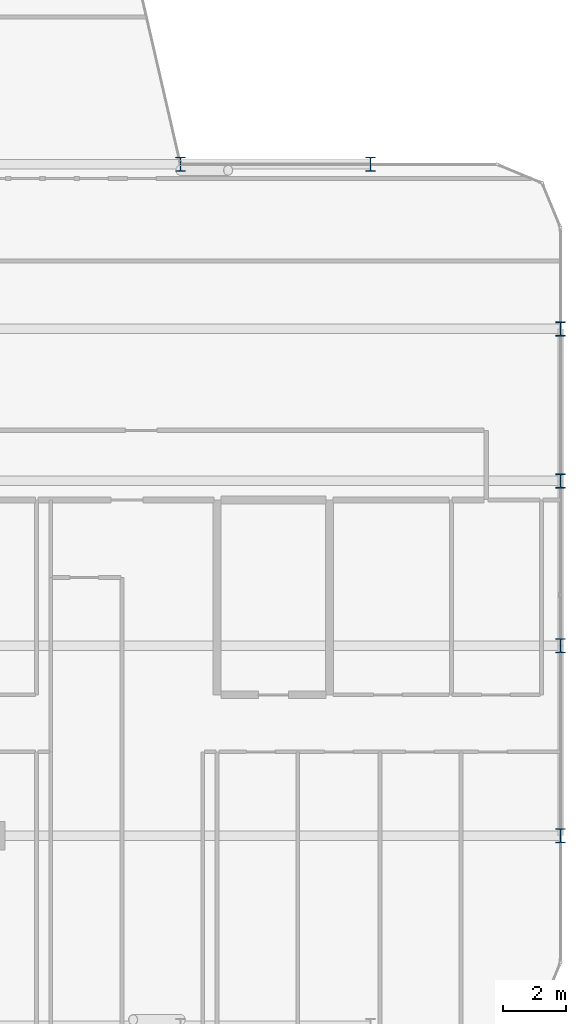
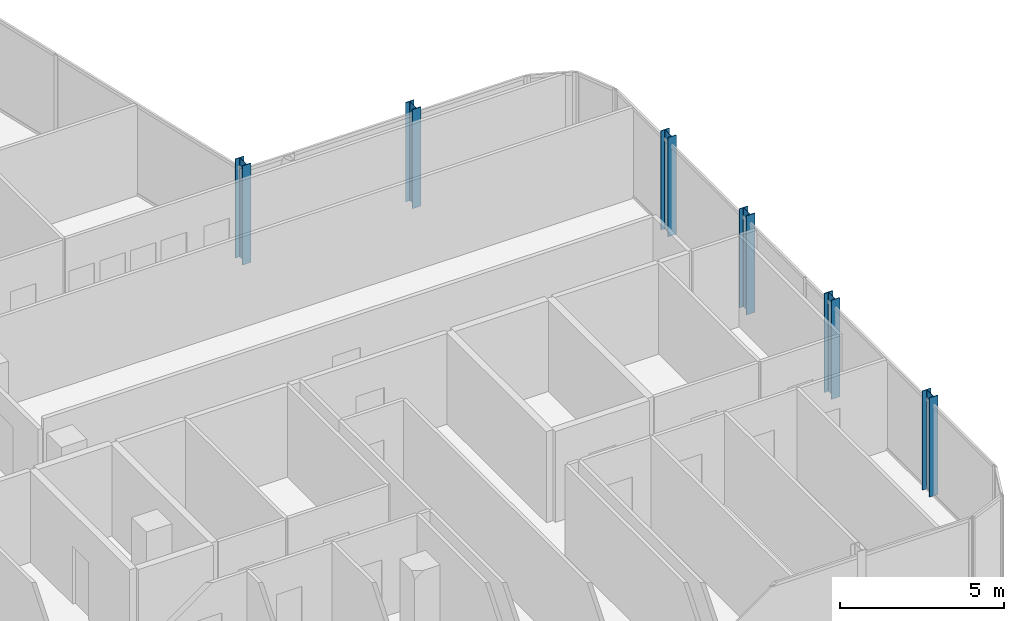
# One storey, part 2 of 29: 6 columns.
"""IFC4 building model written with IfcOpenShell, lengths in metres."""

import ifcopenshell
import ifcopenshell.guid

model = None  # the IFC model being written
_history = None  # IfcOwnerHistory: only IFC2X3 demands one
_inside = {}  # id of a spatial element -> (the spatial element, [elements in it])
_under = {}  # id of a project, library or spatial element -> (it, [spatial elements below it])
_declared = {}  # id of a project -> (the project, [libraries it declares])
_typed = {}  # id of a type object -> (the type object, [elements of that type])
_made_of = {}  # id of a material, layer set ... -> (it, [elements and type objects made of it])


def new_model(schema):
    """Start an empty IFC model of exactly this schema.

    Asked for "IFC4X3", IfcOpenShell would pick the latest addendum, in which some entities
    have other attributes; the version numbers below select the first issue.
    IFC2X3 requires an IfcOwnerHistory on every rooted entity: one is made here for all.
    """
    global model, _history
    if schema == "IFC4X3":
        model = ifcopenshell.file(schema_version=(4, 3, 0, 0))
    else:
        model = ifcopenshell.file(schema=schema)
    _inside.clear()
    _under.clear()
    _declared.clear()
    _typed.clear()
    _made_of.clear()
    _history = None
    if model.schema == "IFC2X3":
        org = make("IfcOrganization", Name="unknown")
        user = make(
            "IfcPersonAndOrganization",
            ThePerson=make("IfcPerson", FamilyName="unknown"),
            TheOrganization=org,
        )
        app = make(
            "IfcApplication",
            ApplicationDeveloper=org,
            Version="unknown",
            ApplicationFullName="unknown",
            ApplicationIdentifier="unknown",
        )
        _history = make(
            "IfcOwnerHistory",
            OwningUser=user,
            OwningApplication=app,
            ChangeAction="ADDED",
            CreationDate=0,
        )
    return model


def make(cls, **values):
    """One entity of the class cls with the attributes given. An attribute that is None is left unset."""
    return model.create_entity(
        cls, **{name: value for name, value in values.items() if value is not None}
    )


def rooted(cls, **values):
    """An entity with a GlobalId (a new one), such as an element, a storey or a relation."""
    return make(cls, GlobalId=ifcopenshell.guid.new(), OwnerHistory=_history, **values)


def si_unit(unit_type, name, prefix=None):
    """IfcSIUnit, for example si_unit("LENGTHUNIT", "METRE", prefix="MILLI")."""
    return make("IfcSIUnit", UnitType=unit_type, Prefix=prefix, Name=name)


def assignment(units):
    """IfcUnitAssignment: the units of a project."""
    return None if units is None else make("IfcUnitAssignment", Units=units)


def point(xyz):
    """IfcCartesianPoint."""
    return None if xyz is None else make("IfcCartesianPoint", Coordinates=xyz)


def direction(xyz):
    """IfcDirection."""
    return None if xyz is None else make("IfcDirection", DirectionRatios=xyz)


def frame(location, z_axis=None, x_axis=None):
    """IfcAxis2Placement3D, a coordinate frame: its origin and axes. An axis left out is left unset."""
    return make(
        "IfcAxis2Placement3D",
        Location=point(location),
        Axis=direction(z_axis),
        RefDirection=direction(x_axis),
    )


def frame_2d(location, x_axis=None):
    """IfcAxis2Placement2D, a coordinate frame in the plane: its origin and x axis."""
    return make(
        "IfcAxis2Placement2D", Location=point(location), RefDirection=direction(x_axis)
    )


def origin():
    """The frame at (0, 0, 0) with its axes left unset."""
    return frame((0.0, 0.0, 0.0))


def origin_2d():
    """The frame at (0, 0) in the plane with its x axis left unset."""
    return frame_2d((0.0, 0.0))


def place(relative_to, where):
    """IfcLocalPlacement: puts the frame where relative to a parent placement (None: the world)."""
    return make(
        "IfcLocalPlacement", PlacementRelTo=relative_to, RelativePlacement=where
    )


def context(
    kind, dimensions, precision=None, world=None, true_north=None, identifier=None
):
    """IfcGeometricRepresentationContext, for example the 3D "Model" context."""
    return make(
        "IfcGeometricRepresentationContext",
        ContextIdentifier=identifier,
        ContextType=kind,
        CoordinateSpaceDimension=dimensions,
        Precision=precision,
        WorldCoordinateSystem=world,
        TrueNorth=true_north,
    )


def subcontext(parent, identifier, kind, view, scale=None):
    """IfcGeometricRepresentationSubContext, for example "Body" below "Model"."""
    return make(
        "IfcGeometricRepresentationSubContext",
        ContextIdentifier=identifier,
        ContextType=kind,
        ParentContext=parent,
        TargetScale=scale,
        TargetView=view,
    )


def project(units=None, contexts=None):
    """IfcProject with its units and contexts."""
    return rooted(
        "IfcProject",
        Name="project",
        RepresentationContexts=contexts,
        UnitsInContext=assignment(units),
    )


def spatial(cls, under=None, at=None, **own):
    """A site, building, storey or space (cls), placed at a placement, below another one or the project."""
    s = rooted(cls, ObjectPlacement=at, **own)
    if under is not None:
        _under.setdefault(under.id(), (under, []))[1].append(s)
    return s


def profile(cls, at=None, kind="AREA", **sizes):
    """A parametric profile (cls). Its sizes go by their IFC names, for example OverallWidth=200.0."""
    return make(cls, ProfileType=kind, Position=at, **sizes)


def i_section(**sizes):
    """IfcIShapeProfileDef."""
    return profile("IfcIShapeProfileDef", **sizes)


def extrude(swept, where, along, depth):
    """IfcExtrudedAreaSolid: the profile swept, set in the frame where, extruded along a direction by depth."""
    return make(
        "IfcExtrudedAreaSolid",
        SweptArea=swept,
        Position=where,
        ExtrudedDirection=direction(along),
        Depth=depth,
    )


def shape(context_of_items, identifier, shape_type, items):
    """IfcShapeRepresentation: the items that make up one representation, for example the "Body"."""
    return make(
        "IfcShapeRepresentation",
        ContextOfItems=context_of_items,
        RepresentationIdentifier=identifier,
        RepresentationType=shape_type,
        Items=items,
    )


def material(Name=None, Category=None):
    """IfcMaterial."""
    return make("IfcMaterial", Name=Name, Category=Category)


def material_profile(
    of_material, cross_section, Name=None, Category=None, Priority=None
):
    """IfcMaterialProfile: a cross section and its material."""
    return make(
        "IfcMaterialProfile",
        Name=Name,
        Material=of_material,
        Profile=cross_section,
        Priority=Priority,
        Category=Category,
    )


def profile_set(profiles, Name=None, composite=None):
    """IfcMaterialProfileSet."""
    return make(
        "IfcMaterialProfileSet",
        Name=Name,
        MaterialProfiles=profiles,
        CompositeProfile=composite,
    )


def made_of(thing, what):
    """Note that an element or type object is made of a material, layer set ...; save() writes the relation."""
    if what is not None:
        _made_of.setdefault(what.id(), (what, []))[1].append(thing)
    return thing


def type_object(cls, material=None, **own):
    """A type object (cls), such as IfcWallType, which elements share."""
    return made_of(rooted(cls, **own), material)


def element(
    cls,
    number,
    at=None,
    inside=None,
    cuts=None,
    type_object=None,
    material=None,
    context=None,
    identifier="Body",
    shape_type=None,
    held_by="IfcProductDefinitionShape",
    body=None,
    shapes=None,
    **own,
):
    """One element of the class cls, such as IfcWall. Its Tag is "e" and its number.

    at: its placement. inside: the storey or other place that contains it. cuts: it is an
    opening in that element (IfcRelVoidsElement). A single representation is given by context,
    identifier, shape_type and body (its items); several are given by shapes. held_by: the class
    of the entity that holds the representations. save() writes the other relations.
    """
    e = rooted(cls, Tag="e%d" % number, ObjectPlacement=at, **own)
    if body is not None:
        shapes = [shape(context, identifier, shape_type, body)]
    if shapes is not None:
        e.Representation = make(held_by, Representations=shapes)
    if inside is not None:
        _inside.setdefault(inside.id(), (inside, []))[1].append(e)
    if cuts is not None:
        rooted(
            "IfcRelVoidsElement", RelatingBuildingElement=cuts, RelatedOpeningElement=e
        )
    if type_object is not None:
        _typed.setdefault(type_object.id(), (type_object, []))[1].append(e)
    return made_of(e, material)


def aggregate(whole, parts):
    """IfcRelAggregates: a whole, such as a stair, and the parts it consists of."""
    return rooted("IfcRelAggregates", RelatingObject=whole, RelatedObjects=parts)


def save(model, path):
    """Write the relations noted so far, then the file.

    IfcRelAggregates (storeys below a building ...), IfcRelContainedInSpatialStructure (elements
    in a storey), IfcRelDefinesByType, IfcRelAssociatesMaterial and IfcRelDeclares: one each for
    every whole, place, type object, material and project.
    """
    for whole, parts in _under.values():
        aggregate(whole, parts)
    for where, things in _inside.values():
        rooted(
            "IfcRelContainedInSpatialStructure",
            RelatedElements=things,
            RelatingStructure=where,
        )
    for kind, things in _typed.values():
        rooted("IfcRelDefinesByType", RelatedObjects=things, RelatingType=kind)
    for what, things in _made_of.values():
        rooted("IfcRelAssociatesMaterial", RelatedObjects=things, RelatingMaterial=what)
    for by, libraries in _declared.values():
        rooted("IfcRelDeclares", RelatingContext=by, RelatedDefinitions=libraries)
    model.write(path)


model = new_model("IFC4")

# Units and contexts
model_context = context("Model", 3, precision=1e-05, world=origin(), true_north=direction((0.0, 1.0)))
body_context = subcontext(model_context, "Body", "Model", "MODEL_VIEW")
ifc_project = project(units=[si_unit("LENGTHUNIT", "METRE"), si_unit("AREAUNIT", "SQUARE_METRE"), si_unit("VOLUMEUNIT", "CUBIC_METRE"), si_unit("PLANEANGLEUNIT", "RADIAN"), si_unit("MASSUNIT", "GRAM", prefix="KILO")], contexts=[model_context])

# Site, building, storey
site_placement = place(None, origin())
site = spatial("IfcSite", under=ifc_project, at=site_placement, CompositionType="ELEMENT")
building_placement = place(site_placement, origin())
building = spatial("IfcBuilding", under=site, at=building_placement, Name="Keshet Zoharim Tower", CompositionType="ELEMENT")
storey_placement = place(building_placement, frame((0.0, 0.0, 192.10009765625)))
storey = spatial("IfcBuildingStorey", under=building, at=storey_placement, Name="L47", CompositionType="ELEMENT", Elevation=192.10009765625)

# Columns
ifc_material = material(Name="Steel S355", Category="steel")
ifc_material_profile = material_profile(ifc_material, i_section(OverallWidth=0.300048828125, OverallDepth=0.449951171875, WebThickness=0.013916015625, FlangeThickness=0.02587890625, FilletRadius=0.027099609375, at=origin_2d()), Name="HEB450")
ifc_profile_set = profile_set([ifc_material_profile], Name="Steel S355")
column_type = type_object("IfcColumnType", Name="COL-HEB450", PredefinedType="COLUMN", material=ifc_profile_set)
for number, where, z_axis, x_axis, name in (
    (1, (45.0, 27.89990234375, 0.0), (0.0, 0.0, 1.0), (1.0, 0.0, 0.0), "L47 Column 8F"),
    (2, (51.0, 27.89990234375, 0.0), (0.0, 0.0, 1.0), (1.0, 0.0, 0.0), "L47 Column 9F"),
    (3, (57.0, 6.699951171875, 0.0), (0.0, 0.0, 1.0), (1.0, 0.0, 0.0), "L47 Column 10B"),
    (4, (57.0, 12.699951171875, 0.0), (0.0, 0.0, 1.0), (1.0, 0.0, 0.0), "L47 Column 10C"),
    (5, (57.0, 17.89990234375, 0.0), (0.0, 0.0, 1.0), (1.0, 0.0, 0.0), "L47 Column 10D"),
    (6, (57.0, 22.699951171875, 0.0), (0.0, 0.0, 1.0), (1.0, 0.0, 0.0), "L47 Column 10E"),
):
    element("IfcColumn", number, at=place(storey_placement, frame(where, z_axis=z_axis, x_axis=x_axis)), inside=storey, type_object=column_type, Name=name, PredefinedType="COLUMN", context=body_context, shape_type="SweptSolid", body=[
        extrude(i_section(OverallWidth=0.300048828125, OverallDepth=0.449951171875, WebThickness=0.013916015625, FlangeThickness=0.02587890625, FilletRadius=0.027099609375, at=origin_2d()), origin(), (0.0, 0.0, 1.0), 3.699951171875),
    ])

save(model, "model.ifc")
